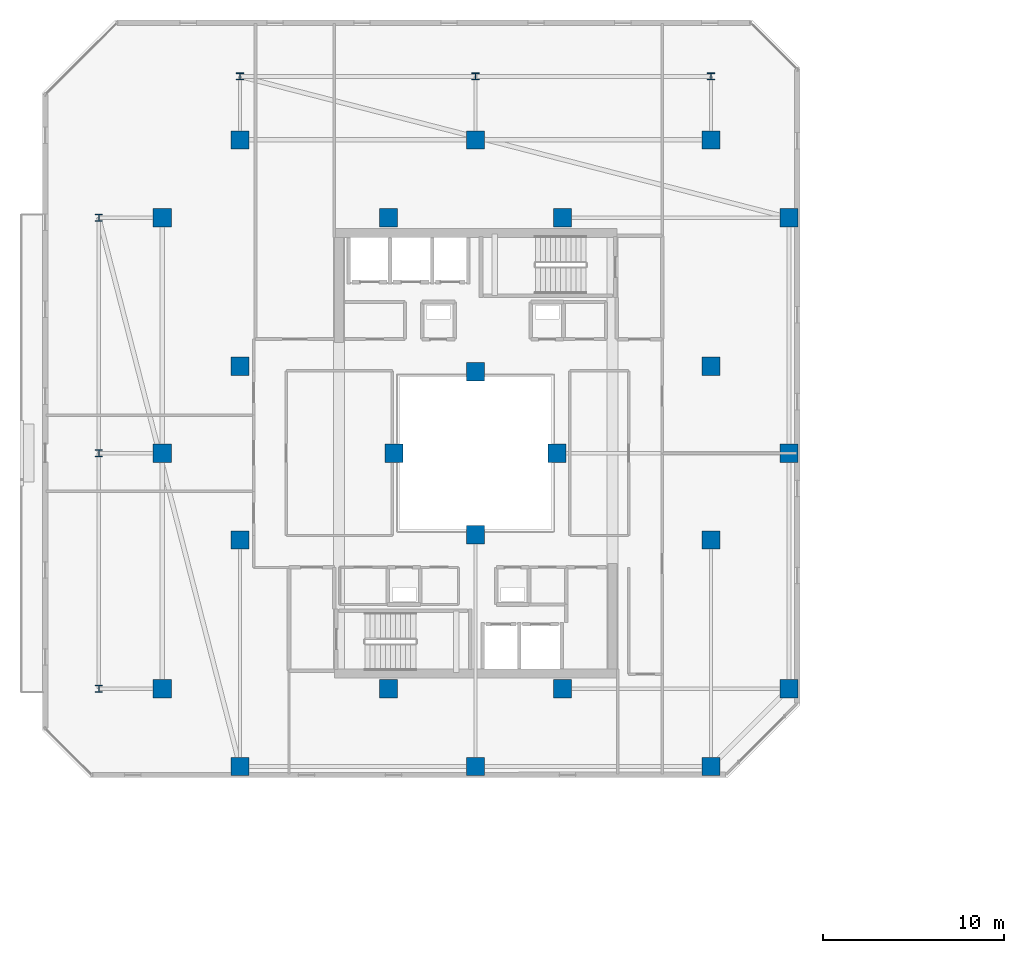
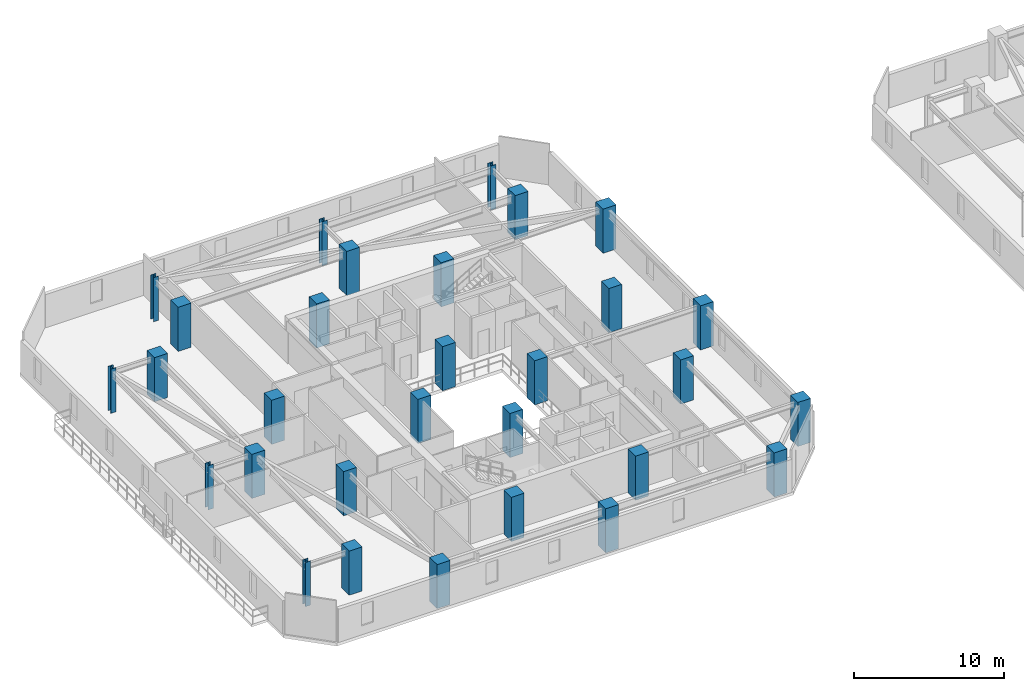
# One storey, part 1 of 33: 30 columns.
"""IFC4 building model written with IfcOpenShell, lengths in metres."""

from ifc_helpers import new_model, si_unit, direction, frame, origin, origin_2d, place, context, subcontext, project, spatial, rectangle, i_section, extrude, material, material_profile, profile_set, type_object, element, save


model = new_model("IFC4")

# Units and contexts
model_context = context("Model", 3, precision=1e-05, world=origin(), true_north=direction((0.0, 1.0)))
body_context = subcontext(model_context, "Body", "Model", "MODEL_VIEW")
ifc_project = project(units=[si_unit("LENGTHUNIT", "METRE"), si_unit("AREAUNIT", "SQUARE_METRE"), si_unit("VOLUMEUNIT", "CUBIC_METRE"), si_unit("PLANEANGLEUNIT", "RADIAN"), si_unit("MASSUNIT", "GRAM", prefix="KILO")], contexts=[model_context])

# Site, building, storey
site_placement = place(None, origin())
site = spatial("IfcSite", under=ifc_project, at=site_placement, CompositionType="ELEMENT")
building_placement = place(site_placement, origin())
building = spatial("IfcBuilding", under=site, at=building_placement, Name="Thornwick Lancets Civic Towers", CompositionType="ELEMENT")
storey_placement = place(building_placement, frame((0.0, 0.0, 203.699951171875)))
storey = spatial("IfcBuildingStorey", under=building, at=storey_placement, Name="L54", CompositionType="ELEMENT", Elevation=203.699951171875)

# Columns
ifc_material_1 = material(Name="Concrete C50/60", Category="concrete")
ifc_material_profile_1 = material_profile(ifc_material_1, rectangle(XDim=1.0, YDim=1.0, at=origin_2d()), Name="RC 1000x1000")
ifc_profile_set_1 = profile_set([ifc_material_profile_1], Name="Concrete C50/60")
column_type_1 = type_object("IfcColumnType", Name="COL_RC_1000", PredefinedType="COLUMN", material=ifc_profile_set_1)
for number, where, z_axis, x_axis, name in (
    (1, (12.5, 9.699951171875, 0.0), (0.0, 0.0, 1.0), (1.0, 0.0, 0.0), "L54 Spine Mega-Column A01"),
    (2, (25.5, 9.699951171875, 0.0), (0.0, 0.0, 1.0), (1.0, 0.0, 0.0), "L54 Spine Mega-Column A02"),
    (3, (38.5, 9.699951171875, 0.0), (0.0, 0.0, 1.0), (1.0, 0.0, 0.0), "L54 Spine Mega-Column A03"),
    (4, (42.800048828125, 14.0, 0.0), (0.0, 0.0, 1.0), (1.0, 0.0, 0.0), "L54 Spine Mega-Column A04"),
    (5, (42.800048828125, 27.0, 0.0), (0.0, 0.0, 1.0), (1.0, 0.0, 0.0), "L54 Spine Mega-Column A05"),
    (6, (42.800048828125, 40.0, 0.0), (0.0, 0.0, 1.0), (1.0, 0.0, 0.0), "L54 Spine Mega-Column A06"),
    (7, (12.5, 44.300048828125, 0.0), (0.0, 0.0, 1.0), (1.0, 0.0, 0.0), "L54 Spine Mega-Column A07"),
    (8, (25.5, 44.300048828125, 0.0), (0.0, 0.0, 1.0), (1.0, 0.0, 0.0), "L54 Spine Mega-Column A08"),
    (9, (38.5, 44.300048828125, 0.0), (0.0, 0.0, 1.0), (1.0, 0.0, 0.0), "L54 Spine Mega-Column A09"),
    (10, (8.199951171875, 14.0, 0.0), (0.0, 0.0, 1.0), (1.0, 0.0, 0.0), "L54 Spine Mega-Column A10"),
    (11, (8.199951171875, 27.0, 0.0), (0.0, 0.0, 1.0), (1.0, 0.0, 0.0), "L54 Spine Mega-Column A11"),
    (12, (8.199951171875, 40.0, 0.0), (0.0, 0.0, 1.0), (1.0, 0.0, 0.0), "L54 Spine Mega-Column A12"),
    (13, (12.5, 22.199951171875, 0.0), (0.0, 0.0, 1.0), (1.0, 0.0, 0.0), "L54 Spine Mega-Column A13"),
    (14, (38.5, 22.199951171875, 0.0), (0.0, 0.0, 1.0), (1.0, 0.0, 0.0), "L54 Spine Mega-Column A14"),
    (15, (12.5, 31.800048828125, 0.0), (0.0, 0.0, 1.0), (1.0, 0.0, 0.0), "L54 Spine Mega-Column A15"),
    (16, (38.5, 31.800048828125, 0.0), (0.0, 0.0, 1.0), (1.0, 0.0, 0.0), "L54 Spine Mega-Column A16"),
    (17, (20.699951171875, 14.0, 0.0), (0.0, 0.0, 1.0), (1.0, 0.0, 0.0), "L54 Spine Mega-Column A17"),
    (18, (30.300048828125, 14.0, 0.0), (0.0, 0.0, 1.0), (1.0, 0.0, 0.0), "L54 Spine Mega-Column A18"),
    (19, (20.699951171875, 40.0, 0.0), (0.0, 0.0, 1.0), (1.0, 0.0, 0.0), "L54 Spine Mega-Column A19"),
    (20, (30.300048828125, 40.0, 0.0), (0.0, 0.0, 1.0), (1.0, 0.0, 0.0), "L54 Spine Mega-Column A20"),
    (21, (25.5, 22.5, 0.0), (0.0, 0.0, 1.0), (1.0, 0.0, 0.0), "L54 Spine Mega-Column A21"),
    (22, (25.5, 31.5, 0.0), (0.0, 0.0, 1.0), (1.0, 0.0, 0.0), "L54 Spine Mega-Column A22"),
    (23, (21.0, 27.0, 0.0), (0.0, 0.0, 1.0), (1.0, 0.0, 0.0), "L54 Spine Mega-Column A23"),
    (24, (30.0, 27.0, 0.0), (0.0, 0.0, 1.0), (1.0, 0.0, 0.0), "L54 Spine Mega-Column A24"),
):
    element("IfcColumn", number, at=place(storey_placement, frame(where, z_axis=z_axis, x_axis=x_axis)), inside=storey, type_object=column_type_1, Name=name, PredefinedType="COLUMN", context=body_context, shape_type="SweptSolid", body=[
        extrude(rectangle(XDim=1.0, YDim=1.0, at=origin_2d()), origin(), (0.0, 0.0, 1.0), 3.60009765625),
    ])
ifc_material_2 = material(Name="Steel S355JR", Category="steel")
ifc_material_profile_2 = material_profile(ifc_material_2, i_section(OverallWidth=0.39892578125, OverallDepth=0.3935546875, WebThickness=0.022705078125, FlangeThickness=0.03662109375, FilletRadius=0.01513671875, at=origin_2d()), Name="UKC 356x406x287")
ifc_profile_set_2 = profile_set([ifc_material_profile_2], Name="Steel S355JR")
column_type_2 = type_object("IfcColumnType", Name="COL_UKC_287", PredefinedType="COLUMN", material=ifc_profile_set_2)
for number, where, z_axis, x_axis, name in (
    (25, (12.5, 47.800048828125, 0.0), (0.0, 0.0, 1.0), (1.0, 0.0, 0.0), "L54 Block Perimeter Column A07"),
    (26, (25.5, 47.800048828125, 0.0), (0.0, 0.0, 1.0), (1.0, 0.0, 0.0), "L54 Block Perimeter Column A08"),
    (27, (38.5, 47.800048828125, 0.0), (0.0, 0.0, 1.0), (1.0, 0.0, 0.0), "L54 Block Perimeter Column A09"),
    (28, (4.699951171875, 14.0, 0.0), (0.0, 0.0, 1.0), (1.0, 0.0, 0.0), "L54 Block Perimeter Column A10"),
    (29, (4.699951171875, 27.0, 0.0), (0.0, 0.0, 1.0), (1.0, 0.0, 0.0), "L54 Block Perimeter Column A11"),
    (30, (4.699951171875, 40.0, 0.0), (0.0, 0.0, 1.0), (1.0, 0.0, 0.0), "L54 Block Perimeter Column A12"),
):
    element("IfcColumn", number, at=place(storey_placement, frame(where, z_axis=z_axis, x_axis=x_axis)), inside=storey, type_object=column_type_2, Name=name, PredefinedType="COLUMN", context=body_context, shape_type="SweptSolid", body=[
        extrude(i_section(OverallWidth=0.39892578125, OverallDepth=0.3935546875, WebThickness=0.022705078125, FlangeThickness=0.03662109375, FilletRadius=0.01513671875, at=origin_2d()), origin(), (0.0, 0.0, 1.0), 3.60009765625),
    ])

save(model, "model.ifc")
